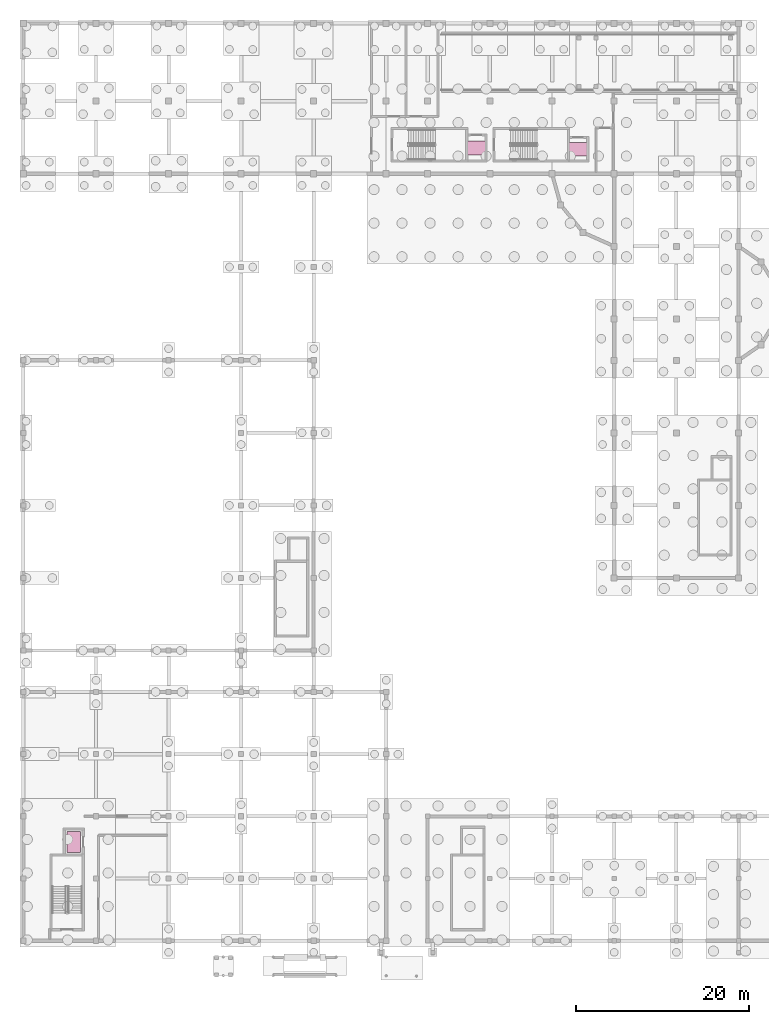
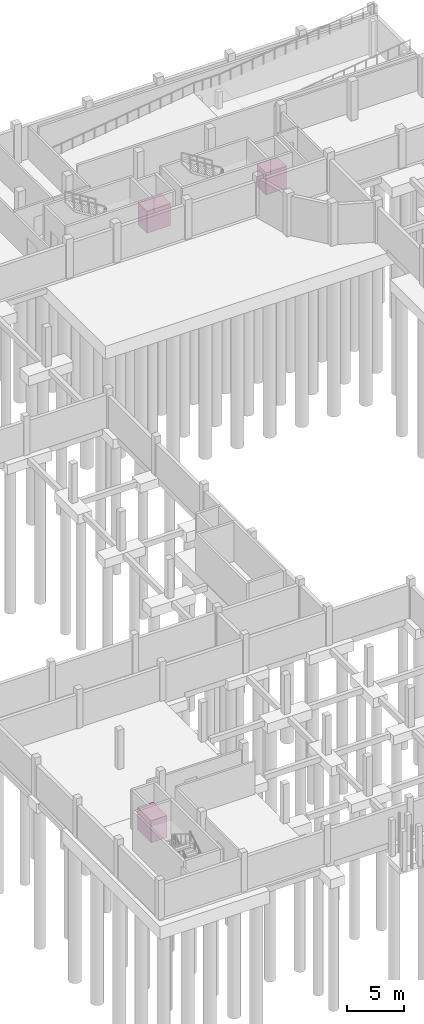
# One storey, part 22 of 22: 3 transport elements.
"""IFC4 building model written with IfcOpenShell, lengths in metres."""

from ifc_helpers import new_model, si_unit, direction, frame, origin, origin_2d, place, context, subcontext, project, spatial, rectangle, extrude, material, type_object, element, save


model = new_model("IFC4")

# Units and contexts
model_context = context("Model", 3, precision=1e-05, world=origin(), true_north=direction((0.0, 1.0)))
body_context = subcontext(model_context, "Body", "Model", "MODEL_VIEW")
ifc_project = project(units=[si_unit("LENGTHUNIT", "METRE"), si_unit("AREAUNIT", "SQUARE_METRE"), si_unit("VOLUMEUNIT", "CUBIC_METRE"), si_unit("PLANEANGLEUNIT", "RADIAN"), si_unit("MASSUNIT", "GRAM", prefix="KILO")], contexts=[model_context])

# Site, building, storey
site_placement = place(None, origin())
site = spatial("IfcSite", under=ifc_project, at=site_placement, CompositionType="ELEMENT")
building_placement = place(site_placement, origin())
building = spatial("IfcBuilding", under=site, at=building_placement, Name="Kahlenmark Community Centre", CompositionType="ELEMENT")
storey_placement = place(building_placement, frame((0.0, 0.0, -4.199951171875)))
storey = spatial("IfcBuildingStorey", under=building, at=storey_placement, Name="B1", CompositionType="ELEMENT", Elevation=-4.199951171875)

# Transport elements
ifc_material = material(Name="Brushed stainless steel passenger elevator cab", Category="steel")
transport_element_type_1 = type_object("IfcTransportElementType", Name="LTT-LF-01", PredefinedType="ELEVATOR", material=ifc_material)
transport_element_1_placement = place(storey_placement, frame((9.820068359375, 20.22998046875, 0.0), z_axis=(0.0, 0.0, 1.0), x_axis=(1.0, 0.0, 0.0)))
element("IfcTransportElement", 1, at=transport_element_1_placement, inside=storey, type_object=transport_element_type_1, Name="Passenger elevator LF-01", PredefinedType="ELEVATOR", context=body_context, shape_type="SweptSolid", body=[
    extrude(rectangle(XDim=1.60009765625, YDim=2.39990234375, at=origin_2d()), origin(), (0.0, 0.0, 1.0), 2.35009765625),
])
transport_element_type_2 = type_object("IfcTransportElementType", Name="LTT-LF-04", PredefinedType="ELEVATOR", material=ifc_material)
transport_element_2_placement = place(storey_placement, frame((56.429931640625, 100.580078125, 0.0), z_axis=(0.0, 0.0, 1.0), x_axis=(1.0, 0.0, 0.0)))
element("IfcTransportElement", 2, at=transport_element_2_placement, inside=storey, type_object=transport_element_type_2, Name="Passenger elevator LF-04", PredefinedType="ELEVATOR", context=body_context, shape_type="SweptSolid", body=[
    extrude(rectangle(XDim=2.39990234375, YDim=1.60009765625, at=origin_2d()), origin(), (0.0, 0.0, 1.0), 2.35009765625),
])
transport_element_type_3 = type_object("IfcTransportElementType", Name="LTT-LF-05", PredefinedType="ELEVATOR", material=ifc_material)
transport_element_3_placement = place(storey_placement, frame((68.22998046875, 100.429931640625, 0.0), z_axis=(0.0, 0.0, 1.0), x_axis=(1.0, 0.0, 0.0)))
element("IfcTransportElement", 3, at=transport_element_3_placement, inside=storey, type_object=transport_element_type_3, Name="Passenger elevator LF-05", PredefinedType="ELEVATOR", context=body_context, shape_type="SweptSolid", body=[
    extrude(rectangle(XDim=2.10009765625, YDim=1.60009765625, at=origin_2d()), origin(), (0.0, 0.0, 1.0), 2.35009765625),
])

save(model, "model.ifc")
